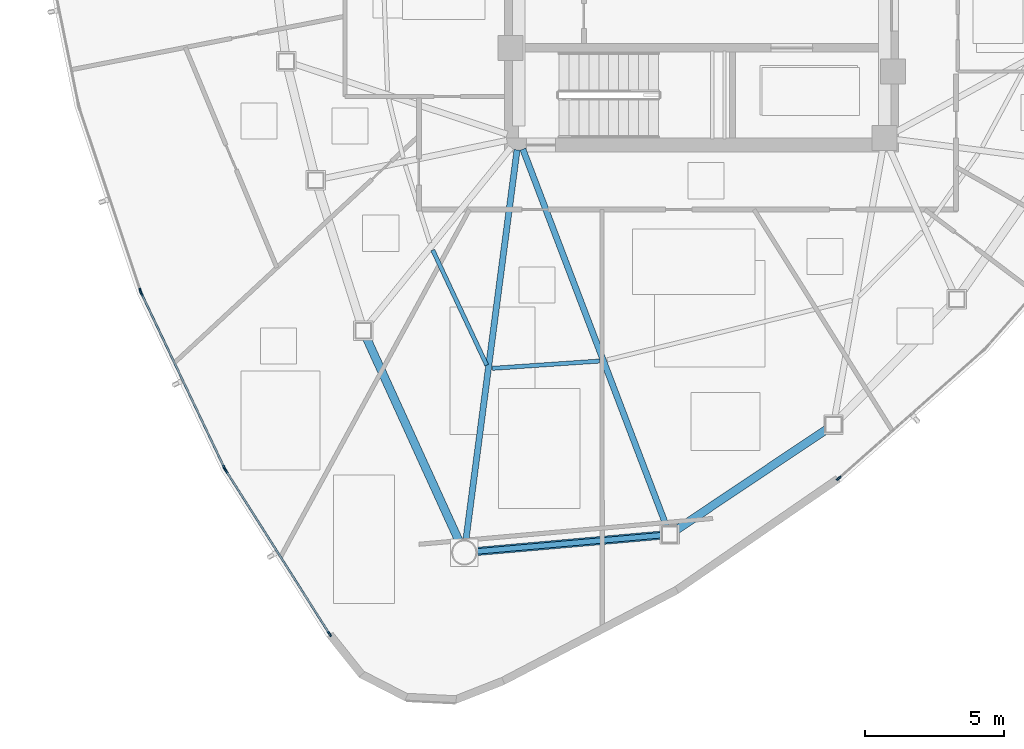
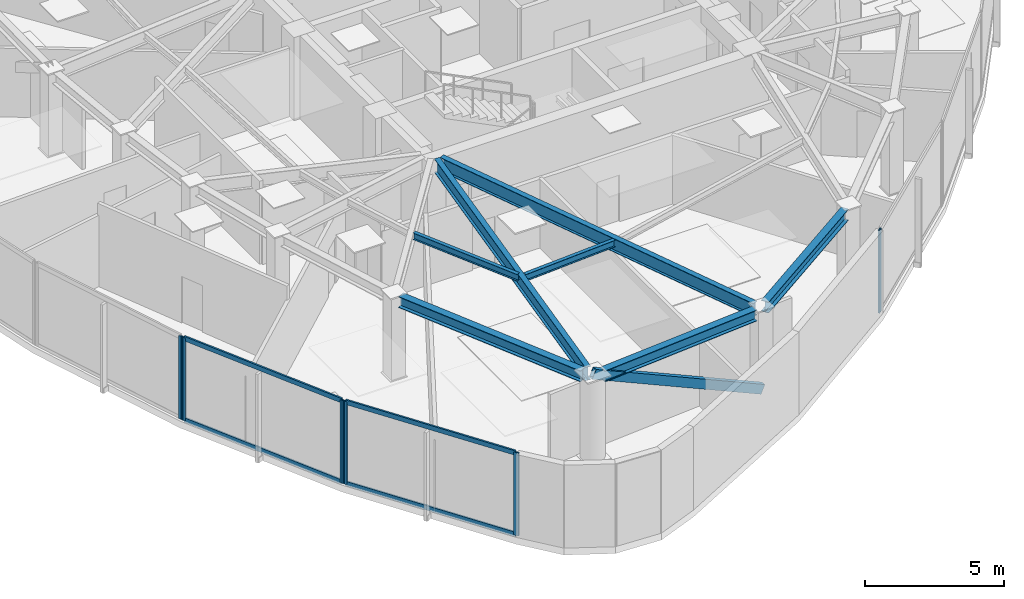
# One storey, part 2 of 15: 11 members, 7 beams, 4 elements without a shape of their own.
"""IFC4 building model written with IfcOpenShell, lengths in metres."""

from ifc_helpers import new_model, si_unit, direction, frame, origin, origin_2d, place, context, subcontext, project, spatial, hollow_rectangle, i_section, extrude, source, transform, mapped, material, layer, layer_set, material_profile, profile_set, type_object, type_shapes, element, aggregate, save


model = new_model("IFC4")

# Units and contexts
model_context = context("Model", 3, precision=1e-05, world=origin(), true_north=direction((0.0, 1.0)))
body_context = subcontext(model_context, "Body", "Model", "MODEL_VIEW")
ifc_project = project(units=[si_unit("LENGTHUNIT", "METRE"), si_unit("AREAUNIT", "SQUARE_METRE"), si_unit("VOLUMEUNIT", "CUBIC_METRE"), si_unit("PLANEANGLEUNIT", "RADIAN"), si_unit("MASSUNIT", "GRAM", prefix="KILO")], contexts=[model_context])

# Site, building, storey
site_placement = place(None, origin())
site = spatial("IfcSite", under=ifc_project, at=site_placement, CompositionType="ELEMENT")
building_placement = place(site_placement, origin())
building = spatial("IfcBuilding", under=site, at=building_placement, Name="Tavelor Broadcast Tower", CompositionType="ELEMENT")
storey_placement = place(building_placement, frame((0.0, 0.0, 230.050048828125)))
storey = spatial("IfcBuildingStorey", under=building, at=storey_placement, Name="L54", CompositionType="ELEMENT", Elevation=230.050048828125)

# Beams
ifc_material_1 = material(Name="Steel S355", Category="steel")
ifc_material_profile_1 = material_profile(ifc_material_1, i_section(OverallWidth=0.14990234375, OverallDepth=0.300048828125, WebThickness=0.007080078125, FlangeThickness=0.0107421875, at=origin_2d()), Name="IPE 300")
ifc_profile_set_1 = profile_set([ifc_material_profile_1], Name="Steel S355")
beam_type_1 = type_object("IfcBeamType", Name="Composite Floor Joist T5 IPE 300", PredefinedType="JOIST", material=ifc_profile_set_1)
beam_1_placement = place(storey_placement, frame((40.303466796875, 34.76123046875, 3.5), z_axis=(0.424747696097, -0.905311766553, 0.0), x_axis=(0.905311766553, 0.424747696097, 0.0)))
element("IfcBeam", 1, at=beam_1_placement, inside=storey, type_object=beam_type_1, Name="L54 Secondary Composite Floor Joist 06", PredefinedType="JOIST", context=body_context, shape_type="SweptSolid", body=[
    extrude(i_section(OverallWidth=0.14990234375, OverallDepth=0.300048828125, WebThickness=0.007080078125, FlangeThickness=0.0107421875, at=origin_2d()), origin(), (0.0, 0.0, 1.0), 4.583984375),
])
beam_2_placement = place(storey_placement, frame((42.44873046875, 30.49462890625, 3.5), z_axis=(0.997688348821, 0.067955563618, 0.0), x_axis=(-0.067955563618, 0.997688348821, 0.0)))
element("IfcBeam", 2, at=beam_2_placement, inside=storey, type_object=beam_type_1, Name="L54 Secondary Composite Floor Joist 07", PredefinedType="JOIST", context=body_context, shape_type="SweptSolid", body=[
    extrude(i_section(OverallWidth=0.14990234375, OverallDepth=0.300048828125, WebThickness=0.007080078125, FlangeThickness=0.0107421875, at=origin_2d()), origin(), (0.0, 0.0, 1.0), 3.880126953125),
])
ifc_material_profile_2 = material_profile(ifc_material_1, i_section(OverallWidth=0.300048828125, OverallDepth=0.489990234375, WebThickness=0.011962890625, FlangeThickness=0.02294921875, at=origin_2d()), Name="HEA 500")
ifc_profile_set_2 = profile_set([ifc_material_profile_2], Name="Steel S355")
beam_type_2 = type_object("IfcBeamType", Name="Perimeter Spandrel Beam T5 HEA 500", PredefinedType="SPANDREL", material=ifc_profile_set_2)
beam_3_placement = place(storey_placement, frame((37.91650390625, 31.59130859375, 3.405029296875), z_axis=(0.414437010202, -0.910077999171, 0.0), x_axis=(0.910077999171, 0.414437010202, 0.0)))
element("IfcBeam", 3, at=beam_3_placement, inside=storey, type_object=beam_type_2, Name="L54 Framed-Tube Ring Spandrel 06", PredefinedType="SPANDREL", context=body_context, shape_type="SweptSolid", body=[
    extrude(i_section(OverallWidth=0.300048828125, OverallDepth=0.489990234375, WebThickness=0.011962890625, FlangeThickness=0.02294921875, at=origin_2d()), origin(), (0.0, 0.0, 1.0), 8.0634765625),
])
beam_4_placement = place(storey_placement, frame((41.877197265625, 23.89208984375, 3.405029296875), z_axis=(0.996152506101, 0.087636662361, 0.0), x_axis=(-0.087636662361, 0.996152506101, 0.0)))
element("IfcBeam", 4, at=beam_4_placement, inside=storey, type_object=beam_type_2, Name="L54 Framed-Tube Ring Spandrel 07", PredefinedType="SPANDREL", context=body_context, shape_type="SweptSolid", body=[
    extrude(i_section(OverallWidth=0.300048828125, OverallDepth=0.489990234375, WebThickness=0.011962890625, FlangeThickness=0.02294921875, at=origin_2d()), origin(), (0.0, 0.0, 1.0), 6.70556640625),
])
beam_5_placement = place(storey_placement, frame((49.083251953125, 24.665283203125, 3.405029296875), z_axis=(0.830979943124, 0.556302376523, 0.0), x_axis=(-0.556302376523, 0.830979943124, 0.0)))
element("IfcBeam", 5, at=beam_5_placement, inside=storey, type_object=beam_type_2, Name="L54 Framed-Tube Ring Spandrel 08", PredefinedType="SPANDREL", context=body_context, shape_type="SweptSolid", body=[
    extrude(i_section(OverallWidth=0.300048828125, OverallDepth=0.489990234375, WebThickness=0.011962890625, FlangeThickness=0.02294921875, at=origin_2d()), origin(), (0.0, 0.0, 1.0), 6.536376953125),
])

# Member
ifc_material_profile_3 = material_profile(ifc_material_1, hollow_rectangle(XDim=0.199951171875, YDim=0.39990234375, WallThickness=0.01611328125, at=origin_2d()), Name="RHS 400x200x16")
ifc_profile_set_3 = profile_set([ifc_material_profile_3], Name="Steel S355")
member_type_1 = type_object("IfcMemberType", Name="Perimeter Tube Brace T5 RHS 400x200x16", PredefinedType="BRACE", material=ifc_profile_set_3)
member_1_placement = place(storey_placement, frame((48.843994140625, 24.5048828125, 0.0), z_axis=(-0.894155458176, -0.07863591001, 0.440797470808), x_axis=(0.087606208465, -0.996155184817, 0.0)))
element("IfcMember", 6, at=member_1_placement, inside=storey, type_object=member_type_1, Name="L54 Corner Tube Diagonal Brace 2", PredefinedType="BRACE", context=body_context, shape_type="SweptSolid", body=[
    extrude(hollow_rectangle(XDim=0.199951171875, YDim=0.39990234375, WallThickness=0.01611328125, at=origin_2d()), origin(), (0.0, 0.0, 1.0), 8.2802734375),
])

# Beams
ifc_material_profile_4 = material_profile(ifc_material_1, i_section(OverallWidth=0.219970703125, OverallDepth=0.60009765625, WebThickness=0.011962890625, FlangeThickness=0.01904296875, at=origin_2d()), Name="IPE 600")
ifc_profile_set_4 = profile_set([ifc_material_profile_4], Name="Steel S355")
beam_type_3 = type_object("IfcBeamType", Name="Radial Floor Girder T5 IPE 600", PredefinedType="BEAM", material=ifc_profile_set_4)
beam_6_placement = place(storey_placement, frame((43.34375, 38.37158203125, 3.349853515625), z_axis=(-0.130000517012, -0.991513926063, 0.0), x_axis=(0.991513926063, -0.130000517012, 0.0)))
element("IfcBeam", 7, at=beam_6_placement, inside=storey, type_object=beam_type_3, Name="L54 Radial Primary Floor Girder 07", PredefinedType="BEAM", context=body_context, shape_type="SweptSolid", body=[
    extrude(i_section(OverallWidth=0.219970703125, OverallDepth=0.60009765625, WebThickness=0.011962890625, FlangeThickness=0.01904296875, at=origin_2d()), origin(), (0.0, 0.0, 1.0), 14.203369140625),
])
beam_7_placement = place(storey_placement, frame((43.5537109375, 38.396240234375, 3.349853515625), z_axis=(0.355898513414, -0.934524610778, 0.0), x_axis=(0.934524610778, 0.355898513414, 0.0)))
element("IfcBeam", 8, at=beam_7_placement, inside=storey, type_object=beam_type_3, Name="L54 Radial Primary Floor Girder 08", PredefinedType="BEAM", context=body_context, shape_type="SweptSolid", body=[
    extrude(i_section(OverallWidth=0.219970703125, OverallDepth=0.60009765625, WebThickness=0.011962890625, FlangeThickness=0.01904296875, at=origin_2d()), origin(), (0.0, 0.0, 1.0), 14.576416015625),
])

# Curtain wall, member
ifc_material_2 = material(Name="Architectural Anodized Aluminium", Category="aluminium")
ifc_layer = layer(ifc_material_2, 0.199951171875)
ifc_layer_set = layer_set([ifc_layer], Name="Architectural Anodized Aluminium")
curtain_wall_type = type_object("IfcCurtainWallType", Name="Tower High-Zone Triple-Glazed Curtain Wall CW04", PredefinedType="NOTDEFINED", material=ifc_layer_set)
curtain_wall_1_placement = place(storey_placement, origin())
curtain_wall_1 = element("IfcCurtainWall", 9, at=curtain_wall_1_placement, inside=storey, type_object=curtain_wall_type, Name="L54 Curtain Wall CW04 Run 578", PredefinedType="NOTDEFINED")
ifc_material_profile_5 = material_profile(ifc_material_2, hollow_rectangle(XDim=0.070068359375, YDim=0.199951171875, WallThickness=0.02197265625, at=origin_2d()), Name="RHS 70x200x22")
ifc_profile_set_5 = profile_set([ifc_material_profile_5], Name="Architectural Anodized Aluminium")
member_type_2 = type_object("IfcMemberType", Name="CW04 Extruded Aluminium Mullion 70x200", PredefinedType="MULLION", material=ifc_profile_set_5)
shared_shape_1 = source(origin(), body_context, "Body", "SweptSolid", [
    extrude(hollow_rectangle(XDim=0.070068359375, YDim=0.199951171875, WallThickness=0.02197265625, at=origin_2d()), origin(), (0.0, 0.0, 1.0), 3.64990234375),
])
type_shapes(member_type_2, [shared_shape_1])
member_2_placement = place(storey_placement, frame((29.76220703125, 33.289794921875, 0.0), z_axis=(0.0, 0.0, 1.0), x_axis=(0.948459985212, 0.316896917705, 0.0)))
member_2 = element("IfcMember", 10, at=member_2_placement, type_object=member_type_2, Name="CW04 mullion 2", PredefinedType="MULLION", context=body_context, shape_type="MappedRepresentation", body=[
    mapped(shared_shape_1, transform((0.0, 0.0, 0.0), scale=1.0)),
])
aggregate(curtain_wall_1, [member_2])

# Curtain wall, members
curtain_wall_2_placement = place(storey_placement, origin())
curtain_wall_2 = element("IfcCurtainWall", 11, at=curtain_wall_2_placement, inside=storey, type_object=curtain_wall_type, Name="L54 Curtain Wall CW04 Run 579", PredefinedType="NOTDEFINED")
member_3_placement = place(storey_placement, frame((29.799560546875, 33.197265625, 0.0), z_axis=(0.0, 0.0, 1.0), x_axis=(0.90314475251, 0.429336180649, 0.0)))
member_3 = element("IfcMember", 12, at=member_3_placement, type_object=member_type_2, Name="CW04 mullion 1", PredefinedType="MULLION", context=body_context, shape_type="MappedRepresentation", body=[
    mapped(shared_shape_1, transform((0.0, 0.0, 0.0), scale=1.0)),
])
member_4_placement = place(storey_placement, frame((32.791259765625, 26.904052734375, 0.0), z_axis=(0.0, 0.0, 1.0), x_axis=(0.90314475251, 0.429336180649, 0.0)))
member_4 = element("IfcMember", 13, at=member_4_placement, type_object=member_type_2, Name="CW04 mullion 2", PredefinedType="MULLION", context=body_context, shape_type="MappedRepresentation", body=[
    mapped(shared_shape_1, transform((0.0, 0.0, 0.0), scale=1.0)),
])

curtain_wall_3_placement = place(storey_placement, origin())
curtain_wall_3 = element("IfcCurtainWall", 14, at=curtain_wall_3_placement, inside=storey, type_object=curtain_wall_type, Name="L54 Curtain Wall CW04 Run 580", PredefinedType="NOTDEFINED")
member_5_placement = place(storey_placement, frame((32.83935546875, 26.816650390625, 0.0), z_axis=(0.0, 0.0, 1.0), x_axis=(0.844551111317, 0.535474948409, 0.0)))
member_5 = element("IfcMember", 15, at=member_5_placement, type_object=member_type_2, Name="CW04 mullion 1", PredefinedType="MULLION", context=body_context, shape_type="MappedRepresentation", body=[
    mapped(shared_shape_1, transform((0.0, 0.0, 0.0), scale=1.0)),
])
member_6_placement = place(storey_placement, frame((36.5791015625, 20.91845703125, 0.0), z_axis=(0.0, 0.0, 1.0), x_axis=(0.844551111317, 0.535474948409, 0.0)))
member_6 = element("IfcMember", 16, at=member_6_placement, type_object=member_type_2, Name="CW04 mullion 2", PredefinedType="MULLION", context=body_context, shape_type="MappedRepresentation", body=[
    mapped(shared_shape_1, transform((0.0, 0.0, 0.0), scale=1.0)),
])

# Curtain wall, member
curtain_wall_4_placement = place(storey_placement, origin())
curtain_wall_4 = element("IfcCurtainWall", 17, at=curtain_wall_4_placement, inside=storey, type_object=curtain_wall_type, Name="L54 Curtain Wall CW04 Run 581", PredefinedType="NOTDEFINED")
member_7_placement = place(storey_placement, frame((54.9423828125, 26.52978515625, 0.0), z_axis=(0.0, 0.0, 1.0), x_axis=(-0.662944889722, 0.748668199667, 0.0)))
member_7 = element("IfcMember", 18, at=member_7_placement, type_object=member_type_2, Name="CW04 mullion 1", PredefinedType="MULLION", context=body_context, shape_type="MappedRepresentation", body=[
    mapped(shared_shape_1, transform((0.0, 0.0, 0.0), scale=1.0)),
])
aggregate(curtain_wall_4, [member_7])

# Member
ifc_material_profile_6 = material_profile(ifc_material_2, hollow_rectangle(XDim=0.070068359375, YDim=0.199951171875, WallThickness=0.02197265625, at=origin_2d()), Name="RHS 70x200x22")
ifc_profile_set_6 = profile_set([ifc_material_profile_6], Name="Architectural Anodized Aluminium")
member_type_3 = type_object("IfcMemberType", Name="CW04 Extruded Aluminium Transom 70x200", PredefinedType="USERDEFINED", material=ifc_profile_set_6)
shared_shape_2 = source(origin(), body_context, "Body", "SweptSolid", [
    extrude(hollow_rectangle(XDim=0.070068359375, YDim=0.199951171875, WallThickness=0.02197265625, at=origin_2d()), origin(), (0.0, 0.0, 1.0), 6.898193359375),
])
member_8_placement = place(storey_placement, frame((29.814453125, 33.16552734375, 0.034912109375), z_axis=(0.429344118503, -0.903140978977, 0.0), x_axis=(0.903140978977, 0.429344118503, 0.0)))
member_8 = element("IfcMember", 19, at=member_8_placement, type_object=member_type_3, Name="CW04 transom 1.1", ObjectType="TRANSOM", PredefinedType="USERDEFINED", context=body_context, shape_type="MappedRepresentation", body=[
    mapped(shared_shape_2, transform((0.0, 0.0, 0.0), scale=1.0)),
])

member_9_placement = place(storey_placement, frame((29.814453125, 33.16552734375, 3.614990234375), z_axis=(0.429344118503, -0.903140978977, 0.0), x_axis=(0.903140978977, 0.429344118503, 0.0)))
member_9 = element("IfcMember", 20, at=member_9_placement, type_object=member_type_3, Name="CW04 transom 1.2", ObjectType="TRANSOM", PredefinedType="USERDEFINED", context=body_context, shape_type="MappedRepresentation", body=[
    mapped(shared_shape_2, transform((0.0, 0.0, 0.0), scale=1.0)),
])

aggregate(curtain_wall_2, [member_3, member_4, member_8, member_9])

shared_shape_3 = source(origin(), body_context, "Body", "SweptSolid", [
    extrude(hollow_rectangle(XDim=0.070068359375, YDim=0.199951171875, WallThickness=0.02197265625, at=origin_2d()), origin(), (0.0, 0.0, 1.0), 6.913818359375),
])
type_shapes(member_type_3, [shared_shape_2, shared_shape_3])
member_10_placement = place(storey_placement, frame((32.858154296875, 26.787109375, 0.034912109375), z_axis=(0.535469541868, -0.844554539229, 0.0), x_axis=(0.844554539229, 0.535469541868, 0.0)))
member_10 = element("IfcMember", 21, at=member_10_placement, type_object=member_type_3, Name="CW04 transom 1.1", ObjectType="TRANSOM", PredefinedType="USERDEFINED", context=body_context, shape_type="MappedRepresentation", body=[
    mapped(shared_shape_3, transform((0.0, 0.0, 0.0), scale=1.0)),
])

member_11_placement = place(storey_placement, frame((32.858154296875, 26.787109375, 3.614990234375), z_axis=(0.535469541868, -0.844554539229, 0.0), x_axis=(0.844554539229, 0.535469541868, 0.0)))
member_11 = element("IfcMember", 22, at=member_11_placement, type_object=member_type_3, Name="CW04 transom 1.2", ObjectType="TRANSOM", PredefinedType="USERDEFINED", context=body_context, shape_type="MappedRepresentation", body=[
    mapped(shared_shape_3, transform((0.0, 0.0, 0.0), scale=1.0)),
])

aggregate(curtain_wall_3, [member_5, member_6, member_10, member_11])

save(model, "model.ifc")
